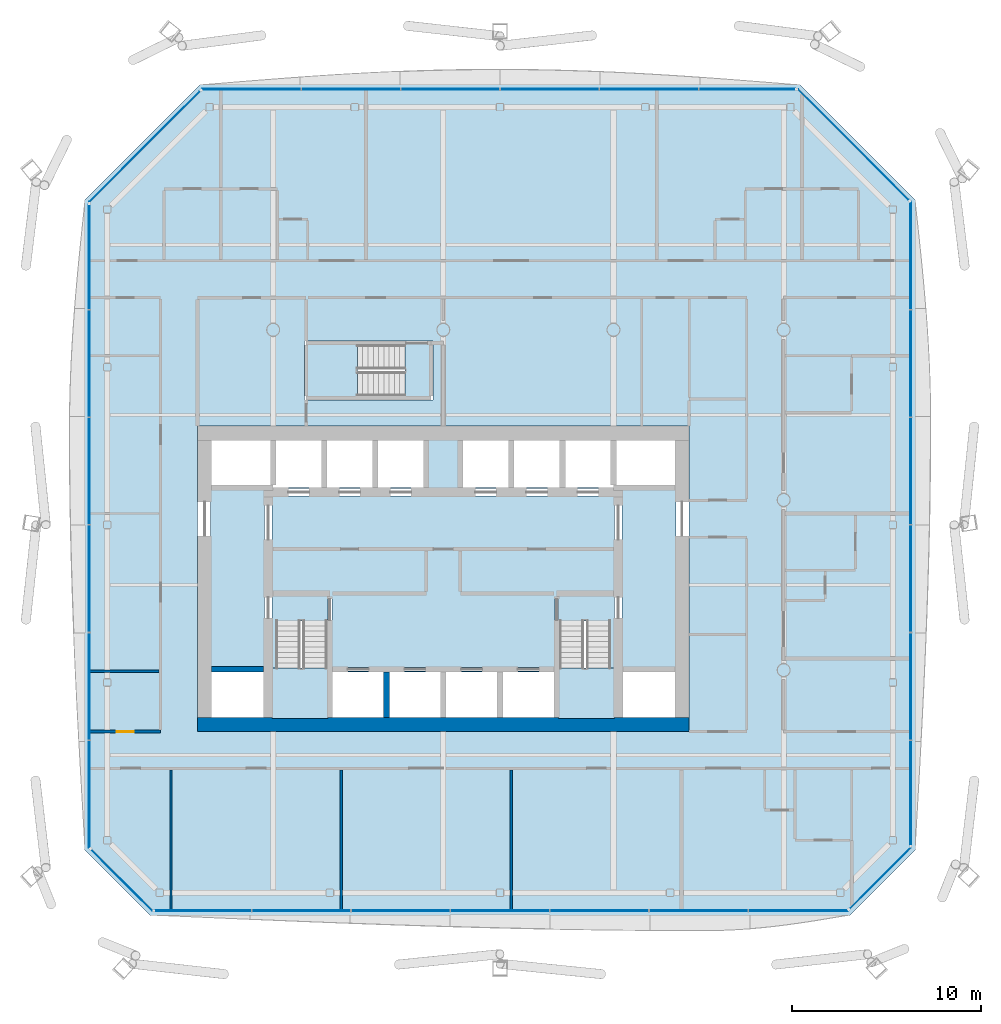
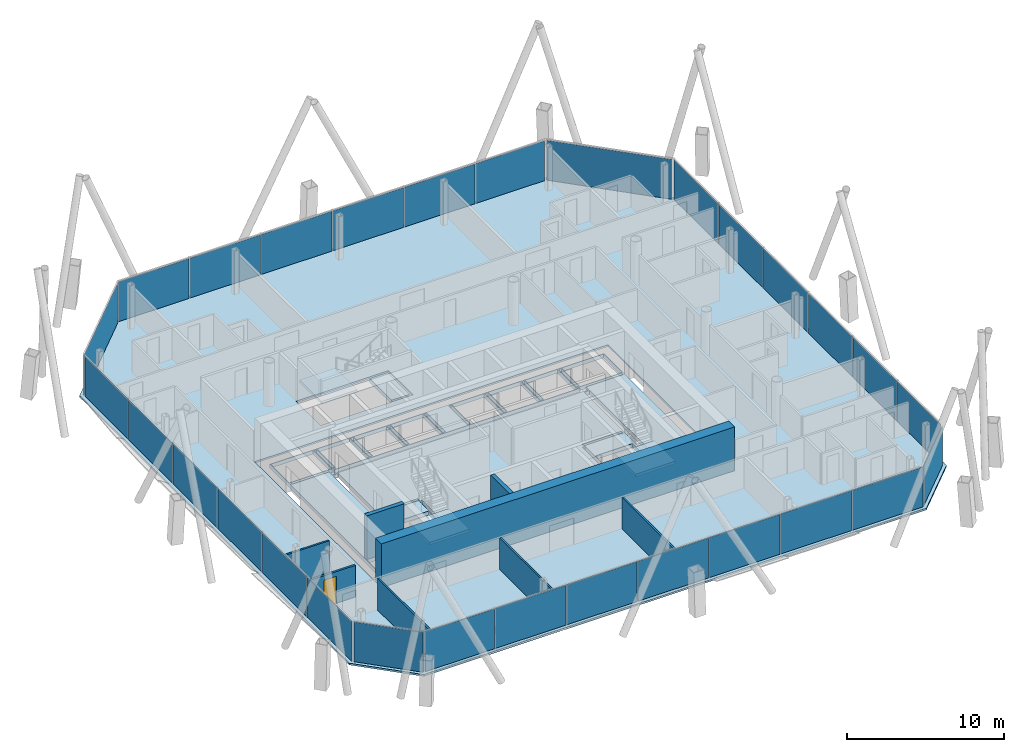
# One storey, part 13 of 20: 29 plates, 8 walls, 6 slabs, 1 door, 1 opening, 11 elements without a shape of their own.
"""IFC4 building model written with IfcOpenShell, lengths in metres."""

from ifc_helpers import new_model, si_unit, direction, frame, frame_2d, origin, origin_2d, place, context, subcontext, project, spatial, polyline, rectangle, outline, extrude, material, layer, layer_set, type_object, element, fill, aggregate, save


model = new_model("IFC4")

# Units and contexts
model_context = context("Model", 3, precision=1e-05, world=origin(), true_north=direction((0.0, 1.0)))
body_context = subcontext(model_context, "Body", "Model", "MODEL_VIEW")
ifc_project = project(units=[si_unit("LENGTHUNIT", "METRE"), si_unit("AREAUNIT", "SQUARE_METRE"), si_unit("VOLUMEUNIT", "CUBIC_METRE"), si_unit("PLANEANGLEUNIT", "RADIAN"), si_unit("MASSUNIT", "GRAM", prefix="KILO")], contexts=[model_context])

# Site, building, storey
site_placement = place(None, origin())
site = spatial("IfcSite", under=ifc_project, at=site_placement, CompositionType="ELEMENT")
building_placement = place(site_placement, origin())
building = spatial("IfcBuilding", under=site, at=building_placement, Name="Tskaro Facet Tower", CompositionType="ELEMENT")
storey_placement = place(building_placement, frame((0.0, 0.0, 152.10009765625)))
storey = spatial("IfcBuildingStorey", under=building, at=storey_placement, Name="L37", CompositionType="ELEMENT", Elevation=152.10009765625)

# Slab
ifc_material_1 = material(Name="Concrete C30/37", Category="concrete")
ifc_layer_1 = layer(ifc_material_1, 0.139892578125, Name="Concrete C30/37")
ifc_layer_set_1 = layer_set([ifc_layer_1], Name="Concrete C30/37")
slab_type_1 = type_object("IfcSlabType", Name="Composite deck floor slab", PredefinedType="FLOOR", material=ifc_layer_set_1)
slab_1_placement = place(storey_placement, frame((0.0, 0.0, -0.14013671875)))
element("IfcSlab", 1, at=slab_1_placement, inside=storey, type_object=slab_type_1, Name="Floor slab FS3 L37", PredefinedType="FLOOR", context=body_context, shape_type="SweptSolid", body=[
    extrude(outline(polyline([(-15.49609375, -21.97412109375), (21.49609375, -21.97412109375), (24.97412109375, -18.49609375), (24.97412109375, 15.864990234375), (18.864990234375, 21.97412109375), (-12.864990234375, 21.97412109375), (-18.97412109375, 15.864990234375), (-18.97412109375, -18.49609375), (-15.49609375, -21.97412109375)]), holes=[polyline([(-13.0, -12.25), (13.0, -12.25), (13.0, 3.89990234375), (-13.0, 3.89990234375), (-13.0, -12.25)]), polyline([(-7.35009765625, 5.300048828125), (-0.550048828125, 5.300048828125), (-0.550048828125, 8.39990234375), (-7.35009765625, 8.39990234375), (-7.35009765625, 5.300048828125)])]), origin(), (0.0, 0.0, 1.0), 0.14013671875),
])

# Curtain wall, plates
ifc_material_2 = material(Name="Bronze anodised aluminium 6063-T6", Category="aluminium")
curtain_wall_type = type_object("IfcCurtainWallType", Name="Bronze hotel curtain wall (FW2)", PredefinedType="NOTDEFINED", material=ifc_material_2)
curtain_wall_1_placement = place(storey_placement, origin())
curtain_wall_1 = element("IfcCurtainWall", 2, at=curtain_wall_1_placement, inside=storey, type_object=curtain_wall_type, Name="FW2 south facet L37", PredefinedType="NOTDEFINED")
ifc_material_3 = material(Name="Bronze solar control glass", Category="glass")
ifc_layer_2 = layer(ifc_material_3, 0.030029296875, Name="Bronze solar control glass")
ifc_layer_set_2 = layer_set([ifc_layer_2], Name="Bronze solar control glass")
plate_type = type_object("IfcPlateType", Name="FW2 bronze-tinted unit glazing 30", PredefinedType="CURTAIN_PANEL", material=ifc_layer_set_2)
plate_1_placement = place(storey_placement, frame((-12.70458984375, -21.72412109375, -0.000244140625), z_axis=(0.0, 0.0, 1.0), x_axis=(1.0, 0.0, 0.0)))
plate_1 = element("IfcPlate", 3, at=plate_1_placement, type_object=plate_type, Name="FW2 south glazing 1.1", PredefinedType="CURTAIN_PANEL", context=body_context, shape_type="SweptSolid", body=[
    extrude(rectangle(XDim=5.074951171875, YDim=0.030029296875, at=origin_2d()), origin(), (0.0, 0.0, 1.0), 3.10009765625),
])
plate_2_placement = place(storey_placement, frame((-7.509765625, -21.72412109375, -0.000244140625), z_axis=(0.0, 0.0, 1.0), x_axis=(1.0, 0.0, 0.0)))
plate_2 = element("IfcPlate", 4, at=plate_2_placement, type_object=plate_type, Name="FW2 south glazing 2.1", PredefinedType="CURTAIN_PANEL", context=body_context, shape_type="SweptSolid", body=[
    extrude(rectangle(XDim=5.19482421875, YDim=0.030029296875, at=origin_2d()), origin(), (0.0, 0.0, 1.0), 3.10009765625),
])
plate_3_placement = place(storey_placement, frame((-2.2548828125, -21.72412109375, -0.000244140625), z_axis=(0.0, 0.0, 1.0), x_axis=(1.0, 0.0, 0.0)))
plate_3 = element("IfcPlate", 5, at=plate_3_placement, type_object=plate_type, Name="FW2 south glazing 3.1", PredefinedType="CURTAIN_PANEL", context=body_context, shape_type="SweptSolid", body=[
    extrude(rectangle(XDim=5.19482421875, YDim=0.030029296875, at=origin_2d()), origin(), (0.0, 0.0, 1.0), 3.10009765625),
])
plate_4_placement = place(storey_placement, frame((3.0, -21.72412109375, -0.000244140625), z_axis=(0.0, 0.0, 1.0), x_axis=(1.0, 0.0, 0.0)))
plate_4 = element("IfcPlate", 6, at=plate_4_placement, type_object=plate_type, Name="FW2 south glazing 4.1", PredefinedType="CURTAIN_PANEL", context=body_context, shape_type="SweptSolid", body=[
    extrude(rectangle(XDim=5.19482421875, YDim=0.030029296875, at=origin_2d()), origin(), (0.0, 0.0, 1.0), 3.10009765625),
])
plate_5_placement = place(storey_placement, frame((8.2548828125, -21.72412109375, -0.000244140625), z_axis=(0.0, 0.0, 1.0), x_axis=(1.0, 0.0, 0.0)))
plate_5 = element("IfcPlate", 7, at=plate_5_placement, type_object=plate_type, Name="FW2 south glazing 5.1", PredefinedType="CURTAIN_PANEL", context=body_context, shape_type="SweptSolid", body=[
    extrude(rectangle(XDim=5.19482421875, YDim=0.030029296875, at=origin_2d()), origin(), (0.0, 0.0, 1.0), 3.10009765625),
])
plate_6_placement = place(storey_placement, frame((13.509765625, -21.72412109375, -0.000244140625), z_axis=(0.0, 0.0, 1.0), x_axis=(1.0, 0.0, 0.0)))
plate_6 = element("IfcPlate", 8, at=plate_6_placement, type_object=plate_type, Name="FW2 south glazing 6.1", PredefinedType="CURTAIN_PANEL", context=body_context, shape_type="SweptSolid", body=[
    extrude(rectangle(XDim=5.19482421875, YDim=0.030029296875, at=origin_2d()), origin(), (0.0, 0.0, 1.0), 3.10009765625),
])
plate_7_placement = place(storey_placement, frame((18.779541015625, -21.72412109375, -0.000244140625), z_axis=(0.0, 0.0, 1.0), x_axis=(1.0, 0.0, 0.0)))
plate_7 = element("IfcPlate", 9, at=plate_7_placement, type_object=plate_type, Name="FW2 south glazing 7.1", PredefinedType="CURTAIN_PANEL", context=body_context, shape_type="SweptSolid", body=[
    extrude(rectangle(XDim=5.224853515625, YDim=0.030029296875, at=origin_2d()), origin(), (0.0, 0.0, 1.0), 3.10009765625),
])
aggregate(curtain_wall_1, [plate_1, plate_2, plate_3, plate_4, plate_5, plate_6, plate_7])

# Curtain wall, plate
curtain_wall_2_placement = place(storey_placement, origin())
curtain_wall_2 = element("IfcCurtainWall", 10, at=curtain_wall_2_placement, inside=storey, type_object=curtain_wall_type, Name="FW2 south-east facet L37", PredefinedType="NOTDEFINED")
plate_8_placement = place(storey_placement, frame((23.111083984375, -20.0048828125, -0.000244140625), z_axis=(0.0, 0.0, 1.0), x_axis=(0.707106781187, 0.707106781187, 0.0)))
plate_8 = element("IfcPlate", 11, at=plate_8_placement, type_object=plate_type, Name="FW2 south-east glazing 1.1", PredefinedType="CURTAIN_PANEL", context=body_context, shape_type="SweptSolid", body=[
    extrude(rectangle(XDim=4.562255859375, YDim=0.030029296875, at=origin_2d()), origin(), (0.0, 0.0, 1.0), 3.10009765625),
])
aggregate(curtain_wall_2, [plate_8])

# Curtain wall, plates
curtain_wall_3_placement = place(storey_placement, origin())
curtain_wall_3 = element("IfcCurtainWall", 12, at=curtain_wall_3_placement, inside=storey, type_object=curtain_wall_type, Name="FW2 east facet L37", PredefinedType="NOTDEFINED")
plate_9_placement = place(storey_placement, frame((24.72412109375, -15.48583984375, -0.000244140625), z_axis=(0.0, 0.0, 1.0), x_axis=(0.0, 1.0, 0.0)))
plate_9 = element("IfcPlate", 13, at=plate_9_placement, type_object=plate_type, Name="FW2 east glazing 1.1", PredefinedType="CURTAIN_PANEL", context=body_context, shape_type="SweptSolid", body=[
    extrude(rectangle(XDim=5.51220703125, YDim=0.030029296875, at=origin_2d()), origin(), (0.0, 0.0, 1.0), 3.10009765625),
])
plate_10_placement = place(storey_placement, frame((24.72412109375, -9.853759765625, -0.000244140625), z_axis=(0.0, 0.0, 1.0), x_axis=(0.0, 1.0, 0.0)))
plate_10 = element("IfcPlate", 14, at=plate_10_placement, type_object=plate_type, Name="FW2 east glazing 2.1", PredefinedType="CURTAIN_PANEL", context=body_context, shape_type="SweptSolid", body=[
    extrude(rectangle(XDim=5.632080078125, YDim=0.030029296875, at=origin_2d()), origin(), (0.0, 0.0, 1.0), 3.10009765625),
])
plate_11_placement = place(storey_placement, frame((24.72412109375, -4.16162109375, -0.000244140625), z_axis=(0.0, 0.0, 1.0), x_axis=(0.0, 1.0, 0.0)))
plate_11 = element("IfcPlate", 15, at=plate_11_placement, type_object=plate_type, Name="FW2 east glazing 3.1", PredefinedType="CURTAIN_PANEL", context=body_context, shape_type="SweptSolid", body=[
    extrude(rectangle(XDim=5.632080078125, YDim=0.030029296875, at=origin_2d()), origin(), (0.0, 0.0, 1.0), 3.10009765625),
])
plate_12_placement = place(storey_placement, frame((24.72412109375, 1.530517578125, -0.000244140625), z_axis=(0.0, 0.0, 1.0), x_axis=(0.0, 1.0, 0.0)))
plate_12 = element("IfcPlate", 16, at=plate_12_placement, type_object=plate_type, Name="FW2 east glazing 4.1", PredefinedType="CURTAIN_PANEL", context=body_context, shape_type="SweptSolid", body=[
    extrude(rectangle(XDim=5.632080078125, YDim=0.030029296875, at=origin_2d()), origin(), (0.0, 0.0, 1.0), 3.10009765625),
])
plate_13_placement = place(storey_placement, frame((24.72412109375, 7.22265625, -0.000244140625), z_axis=(0.0, 0.0, 1.0), x_axis=(0.0, 1.0, 0.0)))
plate_13 = element("IfcPlate", 17, at=plate_13_placement, type_object=plate_type, Name="FW2 east glazing 5.1", PredefinedType="CURTAIN_PANEL", context=body_context, shape_type="SweptSolid", body=[
    extrude(rectangle(XDim=5.632080078125, YDim=0.030029296875, at=origin_2d()), origin(), (0.0, 0.0, 1.0), 3.10009765625),
])
plate_14_placement = place(storey_placement, frame((24.72412109375, 12.929931640625, -0.000244140625), z_axis=(0.0, 0.0, 1.0), x_axis=(0.0, 1.0, 0.0)))
plate_14 = element("IfcPlate", 18, at=plate_14_placement, type_object=plate_type, Name="FW2 east glazing 6.1", PredefinedType="CURTAIN_PANEL", context=body_context, shape_type="SweptSolid", body=[
    extrude(rectangle(XDim=5.662109375, YDim=0.030029296875, at=origin_2d()), origin(), (0.0, 0.0, 1.0), 3.10009765625),
])
aggregate(curtain_wall_3, [plate_9, plate_10, plate_11, plate_12, plate_13, plate_14])

# Curtain wall, plate
curtain_wall_4_placement = place(storey_placement, origin())
curtain_wall_4 = element("IfcCurtainWall", 19, at=curtain_wall_4_placement, inside=storey, type_object=curtain_wall_type, Name="FW2 north-east facet L37", PredefinedType="NOTDEFINED")
plate_15_placement = place(storey_placement, frame((21.689453125, 18.795654296875, -0.000244140625), z_axis=(0.0, 0.0, 1.0), x_axis=(-0.707106781187, 0.707106781187, 0.0)))
plate_15 = element("IfcPlate", 20, at=plate_15_placement, type_object=plate_type, Name="FW2 north-east glazing 1.1", PredefinedType="CURTAIN_PANEL", context=body_context, shape_type="SweptSolid", body=[
    extrude(rectangle(XDim=8.282958984375, YDim=0.030029296875, at=origin_2d()), origin(), (0.0, 0.0, 1.0), 3.10009765625),
])
aggregate(curtain_wall_4, [plate_15])

# Curtain wall, plates
curtain_wall_5_placement = place(storey_placement, origin())
curtain_wall_5 = element("IfcCurtainWall", 21, at=curtain_wall_5_placement, inside=storey, type_object=curtain_wall_type, Name="FW2 north facet L37", PredefinedType="NOTDEFINED")
plate_16_placement = place(storey_placement, frame((16.07421875, 21.72412109375, -0.000244140625), z_axis=(0.0, 0.0, 1.0), x_axis=(-1.0, 0.0, 0.0)))
plate_16 = element("IfcPlate", 22, at=plate_16_placement, type_object=plate_type, Name="FW2 north glazing 1.1", PredefinedType="CURTAIN_PANEL", context=body_context, shape_type="SweptSolid", body=[
    extrude(rectangle(XDim=5.07373046875, YDim=0.030029296875, at=origin_2d()), origin(), (0.0, 0.0, 1.0), 3.10009765625),
])
plate_17_placement = place(storey_placement, frame((10.880615234375, 21.72412109375, -0.000244140625), z_axis=(0.0, 0.0, 1.0), x_axis=(-1.0, 0.0, 0.0)))
plate_17 = element("IfcPlate", 23, at=plate_17_placement, type_object=plate_type, Name="FW2 north glazing 2.1", PredefinedType="CURTAIN_PANEL", context=body_context, shape_type="SweptSolid", body=[
    extrude(rectangle(XDim=5.193603515625, YDim=0.030029296875, at=origin_2d()), origin(), (0.0, 0.0, 1.0), 3.10009765625),
])
plate_18_placement = place(storey_placement, frame((5.626953125, 21.72412109375, -0.000244140625), z_axis=(0.0, 0.0, 1.0), x_axis=(-1.0, 0.0, 0.0)))
plate_18 = element("IfcPlate", 24, at=plate_18_placement, type_object=plate_type, Name="FW2 north glazing 3.1", PredefinedType="CURTAIN_PANEL", context=body_context, shape_type="SweptSolid", body=[
    extrude(rectangle(XDim=5.193603515625, YDim=0.030029296875, at=origin_2d()), origin(), (0.0, 0.0, 1.0), 3.10009765625),
])
plate_19_placement = place(storey_placement, frame((0.373046875, 21.72412109375, -0.000244140625), z_axis=(0.0, 0.0, 1.0), x_axis=(-1.0, 0.0, 0.0)))
plate_19 = element("IfcPlate", 25, at=plate_19_placement, type_object=plate_type, Name="FW2 north glazing 4.1", PredefinedType="CURTAIN_PANEL", context=body_context, shape_type="SweptSolid", body=[
    extrude(rectangle(XDim=5.193603515625, YDim=0.030029296875, at=origin_2d()), origin(), (0.0, 0.0, 1.0), 3.10009765625),
])
plate_20_placement = place(storey_placement, frame((-4.880615234375, 21.72412109375, -0.000244140625), z_axis=(0.0, 0.0, 1.0), x_axis=(-1.0, 0.0, 0.0)))
plate_20 = element("IfcPlate", 26, at=plate_20_placement, type_object=plate_type, Name="FW2 north glazing 5.1", PredefinedType="CURTAIN_PANEL", context=body_context, shape_type="SweptSolid", body=[
    extrude(rectangle(XDim=5.193603515625, YDim=0.030029296875, at=origin_2d()), origin(), (0.0, 0.0, 1.0), 3.10009765625),
])
plate_21_placement = place(storey_placement, frame((-10.149169921875, 21.72412109375, -0.000244140625), z_axis=(0.0, 0.0, 1.0), x_axis=(-1.0, 0.0, 0.0)))
plate_21 = element("IfcPlate", 27, at=plate_21_placement, type_object=plate_type, Name="FW2 north glazing 6.1", PredefinedType="CURTAIN_PANEL", context=body_context, shape_type="SweptSolid", body=[
    extrude(rectangle(XDim=5.2236328125, YDim=0.030029296875, at=origin_2d()), origin(), (0.0, 0.0, 1.0), 3.10009765625),
])
aggregate(curtain_wall_5, [plate_16, plate_17, plate_18, plate_19, plate_20, plate_21])

# Curtain wall, plate
curtain_wall_6_placement = place(storey_placement, origin())
curtain_wall_6 = element("IfcCurtainWall", 28, at=curtain_wall_6_placement, inside=storey, type_object=curtain_wall_type, Name="FW2 north-west facet L37", PredefinedType="NOTDEFINED")
plate_22_placement = place(storey_placement, frame((-15.795654296875, 18.689453125, -0.000244140625), z_axis=(0.0, 0.0, 1.0), x_axis=(-0.707106781187, -0.707106781187, 0.0)))
plate_22 = element("IfcPlate", 29, at=plate_22_placement, type_object=plate_type, Name="FW2 north-west glazing 1.1", PredefinedType="CURTAIN_PANEL", context=body_context, shape_type="SweptSolid", body=[
    extrude(rectangle(XDim=8.282958984375, YDim=0.030029296875, at=origin_2d()), origin(), (0.0, 0.0, 1.0), 3.10009765625),
])
aggregate(curtain_wall_6, [plate_22])

# Curtain wall, plates
curtain_wall_7_placement = place(storey_placement, origin())
curtain_wall_7 = element("IfcCurtainWall", 30, at=curtain_wall_7_placement, inside=storey, type_object=curtain_wall_type, Name="FW2 west facet L37", PredefinedType="NOTDEFINED")
plate_23_placement = place(storey_placement, frame((-18.72412109375, 12.85498046875, -0.000244140625), z_axis=(0.0, 0.0, 1.0), x_axis=(0.0, -1.0, 0.0)))
plate_23 = element("IfcPlate", 31, at=plate_23_placement, type_object=plate_type, Name="FW2 west glazing 1.1", PredefinedType="CURTAIN_PANEL", context=body_context, shape_type="SweptSolid", body=[
    extrude(rectangle(XDim=5.51220703125, YDim=0.030029296875, at=origin_2d()), origin(), (0.0, 0.0, 1.0), 3.10009765625),
])
plate_24_placement = place(storey_placement, frame((-18.72412109375, 7.22265625, -0.000244140625), z_axis=(0.0, 0.0, 1.0), x_axis=(0.0, -1.0, 0.0)))
plate_24 = element("IfcPlate", 32, at=plate_24_placement, type_object=plate_type, Name="FW2 west glazing 2.1", PredefinedType="CURTAIN_PANEL", context=body_context, shape_type="SweptSolid", body=[
    extrude(rectangle(XDim=5.632080078125, YDim=0.030029296875, at=origin_2d()), origin(), (0.0, 0.0, 1.0), 3.10009765625),
])
plate_25_placement = place(storey_placement, frame((-18.72412109375, 1.530517578125, -0.000244140625), z_axis=(0.0, 0.0, 1.0), x_axis=(0.0, -1.0, 0.0)))
plate_25 = element("IfcPlate", 33, at=plate_25_placement, type_object=plate_type, Name="FW2 west glazing 3.1", PredefinedType="CURTAIN_PANEL", context=body_context, shape_type="SweptSolid", body=[
    extrude(rectangle(XDim=5.632080078125, YDim=0.030029296875, at=origin_2d()), origin(), (0.0, 0.0, 1.0), 3.10009765625),
])
plate_26_placement = place(storey_placement, frame((-18.72412109375, -4.16162109375, -0.000244140625), z_axis=(0.0, 0.0, 1.0), x_axis=(0.0, -1.0, 0.0)))
plate_26 = element("IfcPlate", 34, at=plate_26_placement, type_object=plate_type, Name="FW2 west glazing 4.1", PredefinedType="CURTAIN_PANEL", context=body_context, shape_type="SweptSolid", body=[
    extrude(rectangle(XDim=5.632080078125, YDim=0.030029296875, at=origin_2d()), origin(), (0.0, 0.0, 1.0), 3.10009765625),
])
plate_27_placement = place(storey_placement, frame((-18.72412109375, -9.853759765625, -0.000244140625), z_axis=(0.0, 0.0, 1.0), x_axis=(0.0, -1.0, 0.0)))
plate_27 = element("IfcPlate", 35, at=plate_27_placement, type_object=plate_type, Name="FW2 west glazing 5.1", PredefinedType="CURTAIN_PANEL", context=body_context, shape_type="SweptSolid", body=[
    extrude(rectangle(XDim=5.632080078125, YDim=0.030029296875, at=origin_2d()), origin(), (0.0, 0.0, 1.0), 3.10009765625),
])
plate_28_placement = place(storey_placement, frame((-18.72412109375, -15.56103515625, -0.000244140625), z_axis=(0.0, 0.0, 1.0), x_axis=(0.0, -1.0, 0.0)))
plate_28 = element("IfcPlate", 36, at=plate_28_placement, type_object=plate_type, Name="FW2 west glazing 6.1", PredefinedType="CURTAIN_PANEL", context=body_context, shape_type="SweptSolid", body=[
    extrude(rectangle(XDim=5.662109375, YDim=0.030029296875, at=origin_2d()), origin(), (0.0, 0.0, 1.0), 3.10009765625),
])
aggregate(curtain_wall_7, [plate_23, plate_24, plate_25, plate_26, plate_27, plate_28])

# Curtain wall, plate
curtain_wall_8_placement = place(storey_placement, origin())
curtain_wall_8 = element("IfcCurtainWall", 37, at=curtain_wall_8_placement, inside=storey, type_object=curtain_wall_type, Name="FW2 south-west facet L37", PredefinedType="NOTDEFINED")
plate_29_placement = place(storey_placement, frame((-17.0048828125, -20.111083984375, -0.000244140625), z_axis=(0.0, 0.0, 1.0), x_axis=(0.707106781187, -0.707106781187, 0.0)))
plate_29 = element("IfcPlate", 38, at=plate_29_placement, type_object=plate_type, Name="FW2 south-west glazing 1.1", PredefinedType="CURTAIN_PANEL", context=body_context, shape_type="SweptSolid", body=[
    extrude(rectangle(XDim=4.562255859375, YDim=0.030029296875, at=origin_2d()), origin(), (0.0, 0.0, 1.0), 3.10009765625),
])
aggregate(curtain_wall_8, [plate_29])

# Stair, slab
ifc_material_4 = material(Name="Concrete C40/50", Category="concrete")
stair_type = type_object("IfcStairType", Name="ST-TWR", PredefinedType="HALF_TURN_STAIR", material=ifc_material_4)
stair_1_placement = place(storey_placement, origin())
stair_1 = element("IfcStair", 39, at=stair_1_placement, inside=storey, type_object=stair_type, Name="L37 Exit stair 1", PredefinedType="HALF_TURN_STAIR")
ifc_layer_3 = layer(ifc_material_4, 0.199951171875, Name="Concrete C40/50")
ifc_layer_set_3 = layer_set([ifc_layer_3], Name="Concrete C40/50")
slab_type_2 = type_object("IfcSlabType", Name="SL-LANDING", PredefinedType="LANDING", material=ifc_layer_set_3)
slab_2_placement = place(storey_placement, frame((0.0, 0.0, 1.5)))
slab_2 = element("IfcSlab", 40, at=slab_2_placement, type_object=slab_type_2, Name="ST-1 landing 1", PredefinedType="LANDING", context=body_context, shape_type="SweptSolid", body=[
    extrude(outline(polyline([(-9.050048828125, -11.550048828125), (-6.10009765625, -11.550048828125), (-6.10009765625, -8.89501953125), (-9.050048828125, -8.89501953125), (-9.050048828125, -11.550048828125)])), origin(), (0.0, 0.0, 1.0), 0.199951171875),
])
aggregate(stair_1, [slab_2])

stair_2_placement = place(storey_placement, origin())
stair_2 = element("IfcStair", 41, at=stair_2_placement, inside=storey, type_object=stair_type, Name="L37 Exit stair 2", PredefinedType="HALF_TURN_STAIR")
slab_3_placement = place(storey_placement, frame((0.0, 0.0, 1.5)))
slab_3 = element("IfcSlab", 42, at=slab_3_placement, type_object=slab_type_2, Name="ST-2 landing 1", PredefinedType="LANDING", context=body_context, shape_type="SweptSolid", body=[
    extrude(outline(polyline([(6.10009765625, -11.550048828125), (9.050048828125, -11.550048828125), (9.050048828125, -8.89501953125), (6.10009765625, -8.89501953125), (6.10009765625, -11.550048828125)])), origin(), (0.0, 0.0, 1.0), 0.199951171875),
])
aggregate(stair_2, [slab_3])

stair_3_placement = place(storey_placement, origin())
stair_3 = element("IfcStair", 43, at=stair_3_placement, inside=storey, type_object=stair_type, Name="L37 Exit stair 3", PredefinedType="HALF_TURN_STAIR")
slab_4_placement = place(storey_placement, frame((0.0, 0.0, 1.5)))
slab_4 = element("IfcSlab", 44, at=slab_4_placement, type_object=slab_type_2, Name="ST-3 landing 1", PredefinedType="LANDING", context=body_context, shape_type="SweptSolid", body=[
    extrude(outline(polyline([(-7.199951171875, 5.449951171875), (-4.544921875, 5.449951171875), (-4.544921875, 8.25), (-7.199951171875, 8.25), (-7.199951171875, 5.449951171875)])), origin(), (0.0, 0.0, 1.0), 0.199951171875),
])
aggregate(stair_3, [slab_4])

# Slabs
ifc_material_5 = material(Name="Concrete C60/75", Category="concrete")
ifc_layer_4 = layer(ifc_material_5, 0.300048828125, Name="Concrete C60/75")
ifc_layer_set_4 = layer_set([ifc_layer_4], Name="Concrete C60/75")
slab_type_3 = type_object("IfcSlabType", Name="SLAB-CORE", PredefinedType="FLOOR", material=ifc_layer_set_4)
slab_5_placement = place(storey_placement, frame((0.0, 0.0, -0.300048828125)))
element("IfcSlab", 45, at=slab_5_placement, inside=storey, type_object=slab_type_3, Name="Core floor slab 1", PredefinedType="FLOOR", context=body_context, shape_type="SweptSolid", body=[
    extrude(outline(polyline([(-12.300048828125, 3.199951171875), (12.300048828125, 3.199951171875), (12.300048828125, 3.10009765625), (12.300048828125, -11.449951171875), (12.300048828125, -11.550048828125), (-12.300048828125, -11.550048828125), (-12.300048828125, -11.449951171875), (-12.300048828125, 3.10009765625), (-12.300048828125, 3.199951171875)]), holes=[polyline([(-9.5, -9.10009765625), (-12.25, -9.10009765625), (-12.25, -11.5), (-9.5, -11.5), (-9.5, -9.10009765625)]), polyline([(-5.85009765625, -9.10009765625), (-5.85009765625, -11.5), (-3.14990234375, -11.5), (-3.14990234375, -9.10009765625), (-5.85009765625, -9.10009765625)]), polyline([(-12.199951171875, -9.050048828125), (-9.550048828125, -9.050048828125), (-9.550048828125, -8.85009765625), (-12.199951171875, -8.85009765625), (-12.199951171875, -9.050048828125)]), polyline([(-6.10009765625, -5.14990234375), (-6.10009765625, -11.449951171875), (-5.89990234375, -11.449951171875), (-5.89990234375, -5.14990234375), (-6.10009765625, -5.14990234375)]), polyline([(-9.449951171875, 0.10009765625), (-9.449951171875, -11.449951171875), (-9.050048828125, -11.449951171875), (-9.050048828125, 0.10009765625), (-9.449951171875, 0.10009765625)]), polyline([(-8.949951171875, -5.050048828125), (-6.050048828125, -5.050048828125), (-6.050048828125, -4.85009765625), (-8.949951171875, -4.85009765625), (-8.949951171875, -5.050048828125)]), polyline([(9.449951171875, 0.199951171875), (9.449951171875, 0.550048828125), (12.199951171875, 0.550048828125), (12.199951171875, 0.75), (9.050048828125, 0.75), (9.050048828125, 0.60009765625), (-9.050048828125, 0.60009765625), (-9.050048828125, 0.75), (-12.199951171875, 0.75), (-12.199951171875, 0.550048828125), (-9.449951171875, 0.550048828125), (-9.449951171875, 0.199951171875), (9.449951171875, 0.199951171875)]), polyline([(-8.85009765625, 0.800048828125), (-9.0, 0.800048828125), (-9.0, 0.64990234375), (-6.449951171875, 0.64990234375), (-6.449951171875, 3.14990234375), (-8.85009765625, 3.14990234375), (-8.85009765625, 0.800048828125)]), polyline([(-6.14990234375, 0.64990234375), (-3.75, 0.64990234375), (-3.75, 3.14990234375), (-6.14990234375, 3.14990234375), (-6.14990234375, 0.64990234375)]), polyline([(-6.39990234375, 3.10009765625), (-6.39990234375, 0.699951171875), (-6.199951171875, 0.699951171875), (-6.199951171875, 3.10009765625), (-6.39990234375, 3.10009765625)]), polyline([(-9.14990234375, 3.14990234375), (-12.25, 3.14990234375), (-12.25, 0.800048828125), (-9.14990234375, 0.800048828125), (-9.14990234375, 3.14990234375)]), polyline([(-9.10009765625, 0.85009765625), (-8.89990234375, 0.85009765625), (-8.89990234375, 3.10009765625), (-9.10009765625, 3.10009765625), (-9.10009765625, 0.85009765625)]), polyline([(-3.10009765625, -11.449951171875), (-2.89990234375, -11.449951171875), (-2.89990234375, -9.14990234375), (-3.10009765625, -9.14990234375), (-3.10009765625, -11.449951171875)]), polyline([(-0.14990234375, -9.10009765625), (-2.85009765625, -9.10009765625), (-2.85009765625, -11.5), (-0.14990234375, -11.5), (-0.14990234375, -9.10009765625)]), polyline([(-0.10009765625, -9.14990234375), (-0.10009765625, -11.449951171875), (0.10009765625, -11.449951171875), (0.10009765625, -9.14990234375), (-0.10009765625, -9.14990234375)]), polyline([(0.14990234375, -9.10009765625), (0.14990234375, -11.5), (2.85009765625, -11.5), (2.85009765625, -9.10009765625), (0.14990234375, -9.10009765625)]), polyline([(-5.800048828125, -8.85009765625), (-5.800048828125, -9.050048828125), (5.800048828125, -9.050048828125), (5.800048828125, -8.85009765625), (-5.800048828125, -8.85009765625)]), polyline([(-1.050048828125, 0.64990234375), (-1.050048828125, 3.14990234375), (-3.449951171875, 3.14990234375), (-3.449951171875, 0.64990234375), (-1.050048828125, 0.64990234375)]), polyline([(3.449951171875, 0.64990234375), (3.449951171875, 3.14990234375), (1.050048828125, 3.14990234375), (1.050048828125, 0.64990234375), (3.449951171875, 0.64990234375)]), polyline([(-3.699951171875, 0.699951171875), (-3.5, 0.699951171875), (-3.5, 3.10009765625), (-3.699951171875, 3.10009765625), (-3.699951171875, 0.699951171875)]), polyline([(-1.0, 3.10009765625), (-1.0, 0.699951171875), (-0.800048828125, 0.699951171875), (-0.800048828125, 3.10009765625), (-1.0, 3.10009765625)]), polyline([(0.800048828125, 3.10009765625), (0.800048828125, 0.699951171875), (1.0, 0.699951171875), (1.0, 3.10009765625), (0.800048828125, 3.10009765625)]), polyline([(2.89990234375, -11.449951171875), (3.10009765625, -11.449951171875), (3.10009765625, -9.14990234375), (2.89990234375, -9.14990234375), (2.89990234375, -11.449951171875)]), polyline([(5.85009765625, -9.10009765625), (3.14990234375, -9.10009765625), (3.14990234375, -11.5), (5.85009765625, -11.5), (5.85009765625, -9.10009765625)]), polyline([(12.25, -11.5), (12.25, -9.10009765625), (9.5, -9.10009765625), (9.5, -11.5), (12.25, -11.5)]), polyline([(9.550048828125, -9.050048828125), (12.199951171875, -9.050048828125), (12.199951171875, -8.85009765625), (9.550048828125, -8.85009765625), (9.550048828125, -9.050048828125)]), polyline([(5.89990234375, -5.14990234375), (5.89990234375, -11.449951171875), (6.10009765625, -11.449951171875), (6.10009765625, -5.14990234375), (5.89990234375, -5.14990234375)]), polyline([(9.050048828125, 0.10009765625), (9.050048828125, -11.449951171875), (9.449951171875, -11.449951171875), (9.449951171875, 0.10009765625), (9.050048828125, 0.10009765625)]), polyline([(6.050048828125, -5.050048828125), (8.949951171875, -5.050048828125), (8.949951171875, -4.85009765625), (6.050048828125, -4.85009765625), (6.050048828125, -5.050048828125)]), polyline([(6.14990234375, 0.64990234375), (6.14990234375, 3.14990234375), (3.75, 3.14990234375), (3.75, 0.64990234375), (6.14990234375, 0.64990234375)]), polyline([(9.0, 0.800048828125), (8.85009765625, 0.800048828125), (8.85009765625, 3.14990234375), (6.449951171875, 3.14990234375), (6.449951171875, 0.64990234375), (9.0, 0.64990234375), (9.0, 0.800048828125)]), polyline([(3.5, 3.10009765625), (3.5, 0.699951171875), (3.699951171875, 0.699951171875), (3.699951171875, 3.10009765625), (3.5, 3.10009765625)]), polyline([(6.199951171875, 0.699951171875), (6.39990234375, 0.699951171875), (6.39990234375, 3.10009765625), (6.199951171875, 3.10009765625), (6.199951171875, 0.699951171875)]), polyline([(8.89990234375, 3.10009765625), (8.89990234375, 0.85009765625), (9.10009765625, 0.85009765625), (9.10009765625, 3.10009765625), (8.89990234375, 3.10009765625)]), polyline([(9.14990234375, 0.800048828125), (12.25, 0.800048828125), (12.25, 3.14990234375), (9.14990234375, 3.14990234375), (9.14990234375, 0.800048828125)]), polyline([(-8.85009765625, -11.5), (-6.14990234375, -11.5), (-6.14990234375, -6.39501953125), (-8.85009765625, -6.39501953125), (-8.85009765625, -11.5)]), polyline([(6.14990234375, -6.39501953125), (6.14990234375, -11.5), (8.85009765625, -11.5), (8.85009765625, -6.39501953125), (6.14990234375, -6.39501953125)])]), origin(), (0.0, 0.0, 1.0), 0.300048828125),
])
slab_6_placement = place(storey_placement, frame((0.0, 0.0, -0.300048828125)))
element("IfcSlab", 46, at=slab_6_placement, inside=storey, type_object=slab_type_3, Name="Stair 3 floor landing 1", PredefinedType="FLOOR", context=body_context, shape_type="SweptSolid", body=[
    extrude(outline(polyline([(-2.02490234375, 5.449951171875), (-0.699951171875, 5.449951171875), (-0.699951171875, 8.25), (-2.02490234375, 8.25), (-2.02490234375, 5.449951171875)])), origin(), (0.0, 0.0, 1.0), 0.300048828125),
])

# Walls
ifc_layer_5 = layer(ifc_material_5, 0.300048828125, Name="Concrete C60/75")
ifc_layer_set_5 = layer_set([ifc_layer_5], Name="Concrete C60/75")
wall_type_1 = type_object("IfcWallType", Name="CORE-SHAFT", PredefinedType="SHEAR", material=ifc_layer_set_5)
wall_1_placement = place(storey_placement, frame((-12.25, -8.949951171875, 0.0), z_axis=(0.0, 0.0, 1.0), x_axis=(1.0, 0.0, 0.0)))
element("IfcWall", 47, at=wall_1_placement, inside=storey, type_object=wall_type_1, Name="Shaft wall W008", PredefinedType="SHEAR", context=body_context, shape_type="SweptSolid", body=[
    extrude(rectangle(XDim=2.75, YDim=0.300048828125, at=frame_2d((1.375, 0.0))), origin(), (0.0, 0.0, 1.0), 3.39990234375),
])
wall_2_placement = place(storey_placement, frame((-3.0, -11.5, 0.0), z_axis=(0.0, 0.0, 1.0), x_axis=(0.0, 1.0, 0.0)))
element("IfcWall", 48, at=wall_2_placement, inside=storey, type_object=wall_type_1, Name="Shaft wall W059", PredefinedType="SHEAR", context=body_context, shape_type="SweptSolid", body=[
    extrude(rectangle(XDim=2.39990234375, YDim=0.300048828125, at=frame_2d((1.199951171875, 0.0))), origin(), (0.0, 0.0, 1.0), 3.39990234375),
])
ifc_material_6 = material(Name="Concrete C50/60", Category="concrete")
ifc_layer_6 = layer(ifc_material_6, 0.75, Name="Concrete C50/60")
ifc_layer_set_6 = layer_set([ifc_layer_6], Name="Concrete C50/60")
wall_type_2 = type_object("IfcWallType", Name="Core wall 750", PredefinedType="SHEAR", material=ifc_layer_set_6)
wall_3_placement = place(storey_placement, frame((-13.0, -11.875, 0.0), z_axis=(0.0, 0.0, 1.0), x_axis=(1.0, 0.0, 0.0)))
element("IfcWall", 49, at=wall_3_placement, inside=storey, type_object=wall_type_2, Name="Core wall CW-Z2S", PredefinedType="SHEAR", context=body_context, shape_type="SweptSolid", body=[
    extrude(rectangle(XDim=26.0, YDim=0.75, at=frame_2d((13.0, 0.0))), origin(), (0.0, 0.0, 1.0), 3.39990234375),
])
ifc_material_7 = material(Name="Gypsum board on steel studs", Category="steel")
ifc_layer_7 = layer(ifc_material_7, 0.125, Name="Gypsum board on steel studs")
ifc_layer_set_7 = layer_set([ifc_layer_7], Name="Gypsum board on steel studs")
wall_type_3 = type_object("IfcWallType", Name="PART", PredefinedType="PARTITIONING", material=ifc_layer_set_7)
wall_4_placement = place(storey_placement, frame((-18.674072265625, -9.056884765625, 0.0), z_axis=(0.0, 0.0, 1.0), x_axis=(1.0, 0.0, 0.0)))
element("IfcWall", 50, at=wall_4_placement, inside=storey, type_object=wall_type_3, Name="Partition W007", PredefinedType="PARTITIONING", context=body_context, shape_type="SweptSolid", body=[
    extrude(rectangle(XDim=3.649169921875, YDim=0.125, at=frame_2d((1.82470703125, 0.0))), origin(), (0.0, 0.0, 1.0), 2.4599609375),
])
for number, where, z_axis, x_axis, name in (
    (51, (-14.39892578125, -21.674072265625, 0.0), (0.0, 0.0, 1.0), (0.0, 1.0, 0.0), "Partition W045"),
    (52, (-5.39990234375, -21.674072265625, 0.0), (0.0, 0.0, 1.0), (0.0, 1.0, 0.0), "Partition W056"),
    (53, (3.60009765625, -21.674072265625, 0.0), (0.0, 0.0, 1.0), (0.0, 1.0, 0.0), "Partition W069"),
):
    element("IfcWall", number, at=place(storey_placement, frame(where, z_axis=z_axis, x_axis=x_axis)), inside=storey, type_object=wall_type_3, Name=name, PredefinedType="PARTITIONING", context=body_context, shape_type="SweptSolid", body=[
        extrude(rectangle(XDim=7.399169921875, YDim=0.125, at=frame_2d((3.69970703125, 0.0))), origin(), (0.0, 0.0, 1.0), 2.4599609375),
    ])

# Wall, opening, door
ifc_layer_8 = layer(ifc_material_7, 0.14990234375, Name="Gypsum board on steel studs")
ifc_layer_set_8 = layer_set([ifc_layer_8], Name="Gypsum board on steel studs")
wall_type_4 = type_object("IfcWallType", Name="PART-CORR", PredefinedType="PARTITIONING", material=ifc_layer_set_8)
wall_5_placement = place(storey_placement, frame((-18.674072265625, -12.25, 0.0), z_axis=(0.0, 0.0, 1.0), x_axis=(1.0, 0.0, 0.0)))
wall_5 = element("IfcWall", 54, at=wall_5_placement, inside=storey, type_object=wall_type_4, Name="Corridor wall W004", PredefinedType="PARTITIONING", context=body_context, shape_type="SweptSolid", body=[
    extrude(rectangle(XDim=3.72412109375, YDim=0.14990234375, at=frame_2d((1.862060546875, 0.0))), origin(), (0.0, 0.0, 1.0), 2.4599609375),
])
opening_placement = place(wall_5_placement, frame((1.412109375, 0.0, 0.0)))
opening = element("IfcOpeningElement", 55, at=opening_placement, cuts=wall_5, Name="Opening T11-D09", PredefinedType="OPENING", context=body_context, shape_type="SweptSolid", body=[
    extrude(rectangle(XDim=0.89990234375, YDim=2.10009765625, at=frame_2d((0.449951171875, 1.050048828125))), frame((0.0, 0.0849609375, 0.0), z_axis=(0.0, -1.0, 0.0), x_axis=(1.0, 0.0, 0.0)), (0.0, 0.0, 1.0), 0.169921875),
])
ifc_material_8 = material(Name="Timber", Category="wood")
door_type = type_object("IfcDoorType", Name="D-ROOM", OperationType="NOTDEFINED", PredefinedType="DOOR", material=ifc_material_8)
door_placement = place(opening_placement, origin())
door = element("IfcDoor", 56, at=door_placement, inside=storey, type_object=door_type, Name="Door T11-D09", OperationType="SINGLE_SWING_LEFT", OverallHeight=2.10009765625, OverallWidth=0.89990234375, PredefinedType="DOOR", context=body_context, shape_type="SweptSolid", body=[
    extrude(rectangle(XDim=0.89990234375, YDim=2.10009765625, at=frame_2d((0.449951171875, 1.050048828125))), frame((0.0, 0.02490234375, 0.0), z_axis=(0.0, -1.0, 0.0), x_axis=(1.0, 0.0, 0.0)), (0.0, 0.0, 1.0), 0.050048828125),
])
fill(opening, door)

save(model, "model.ifc")
